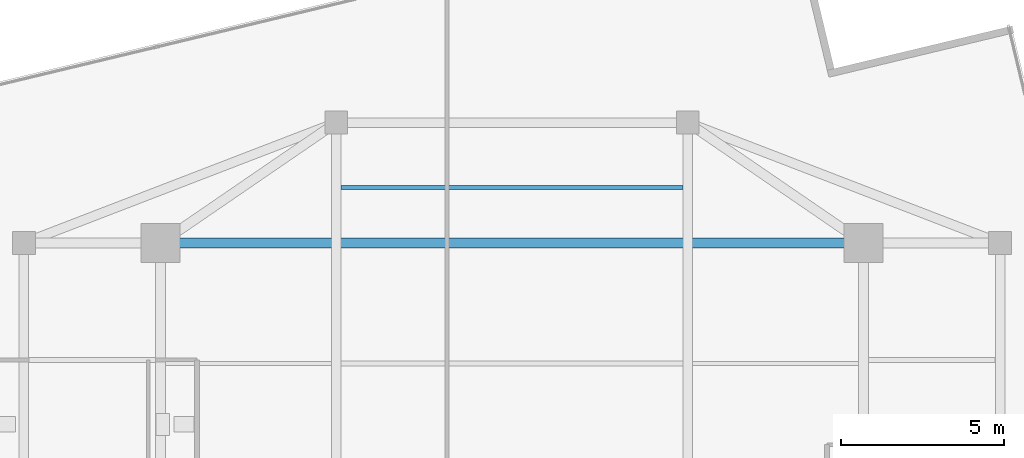
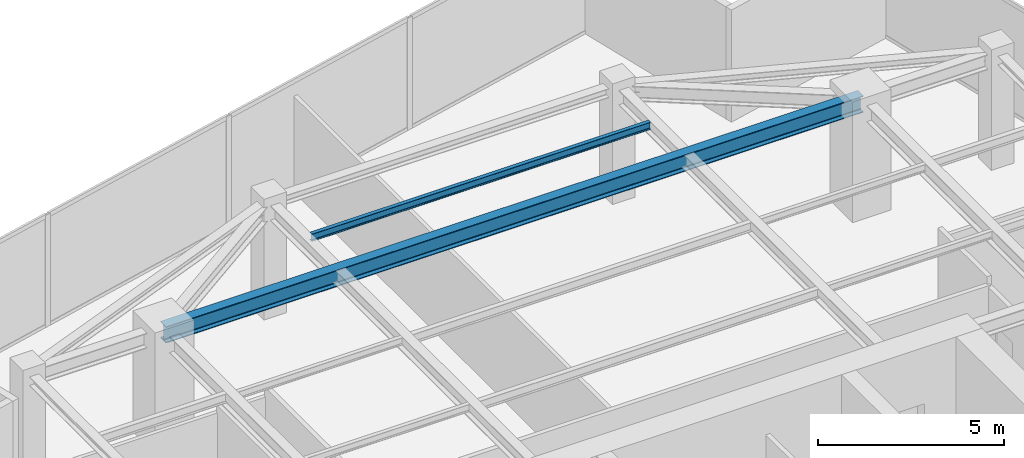
# One storey, part 13 of 22: 2 beams.
"""IFC4 building model written with IfcOpenShell, lengths in metres."""

from ifc_helpers import new_model, si_unit, direction, frame, origin, origin_2d, place, context, subcontext, project, spatial, i_section, extrude, source, transform, mapped, material, material_profile, profile_set, type_object, type_shapes, element, save


model = new_model("IFC4")

# Units and contexts
model_context = context("Model", 3, precision=1e-05, world=origin(), true_north=direction((0.0, 1.0)))
body_context = subcontext(model_context, "Body", "Model", "MODEL_VIEW")
ifc_project = project(units=[si_unit("LENGTHUNIT", "METRE"), si_unit("AREAUNIT", "SQUARE_METRE"), si_unit("VOLUMEUNIT", "CUBIC_METRE"), si_unit("PLANEANGLEUNIT", "RADIAN"), si_unit("MASSUNIT", "GRAM", prefix="KILO")], contexts=[model_context])

# Site, building, storey
site_placement = place(None, origin())
site = spatial("IfcSite", under=ifc_project, at=site_placement, CompositionType="ELEMENT")
building_placement = place(site_placement, origin())
building = spatial("IfcBuilding", under=site, at=building_placement, Name="Krantzveldt Concourse Tower", CompositionType="ELEMENT")
storey_placement = place(building_placement, frame((0.0, 0.0, 355.35009765625)))
storey = spatial("IfcBuildingStorey", under=building, at=storey_placement, Name="L87", CompositionType="ELEMENT", Elevation=355.35009765625)

# Beams
ifc_material = material(Name="Steel S355JR", Category="steel")
ifc_material_profile_1 = material_profile(ifc_material, i_section(OverallWidth=0.300048828125, OverallDepth=0.5400390625, WebThickness=0.012451171875, FlangeThickness=0.02392578125, FilletRadius=0.027099609375, at=origin_2d()), Name="Steel S355JR", Category="steel")
ifc_profile_set_1 = profile_set([ifc_material_profile_1], Name="Steel S355JR - HEA 550")
beam_type_1 = type_object("IfcBeamType", Name="BM-B-HEA550", PredefinedType="BEAM", material=ifc_profile_set_1)
shared_shape_1 = source(origin(), body_context, "Body", "SweptSolid", [
    extrude(i_section(OverallWidth=0.300048828125, OverallDepth=0.5400390625, WebThickness=0.012451171875, FlangeThickness=0.02392578125, FilletRadius=0.027099609375, at=origin_2d()), origin(), (0.0, 0.0, 1.0), 21.60009765625),
])
type_shapes(beam_type_1, [shared_shape_1])
beam_1_placement = place(storey_placement, frame((25.199951171875, 37.5, 3.39990234375), z_axis=(1.0, 0.0, 0.0), x_axis=(0.0, 1.0, 0.0)))
element("IfcBeam", 1, at=beam_1_placement, inside=storey, type_object=beam_type_1, Name="L87 Tower Girder BG-MN", PredefinedType="BEAM", context=body_context, shape_type="MappedRepresentation", body=[
    mapped(shared_shape_1, transform((0.0, 0.0, 0.0), x_axis=(1.0, 0.0, 0.0), y_axis=(0.0, 1.0, 0.0), z_axis=(0.0, 0.0, 1.0), scale=1.0)),
])
ifc_material_profile_2 = material_profile(ifc_material, i_section(OverallWidth=0.1201171875, OverallDepth=0.239990234375, WebThickness=0.006103515625, FlangeThickness=0.009765625, FilletRadius=0.014892578125, at=origin_2d()), Name="Steel S355JR", Category="steel")
ifc_profile_set_2 = profile_set([ifc_material_profile_2], Name="Steel S355JR - IPE 240")
beam_type_2 = type_object("IfcBeamType", Name="BM-LN-IPE240", PredefinedType="LINTEL", material=ifc_profile_set_2)
shared_shape_2 = source(origin(), body_context, "Body", "SweptSolid", [
    extrude(i_section(OverallWidth=0.1201171875, OverallDepth=0.239990234375, WebThickness=0.006103515625, FlangeThickness=0.009765625, FilletRadius=0.014892578125, at=origin_2d()), origin(), (0.0, 0.0, 1.0), 10.5),
])
type_shapes(beam_type_2, [shared_shape_2])
beam_2_placement = place(storey_placement, frame((30.75, 39.199951171875, 3.5498046875), z_axis=(1.0, 0.0, 0.0), x_axis=(0.0, 1.0, 0.0)))
element("IfcBeam", 2, at=beam_2_placement, inside=storey, type_object=beam_type_2, Name="L87 Secondary Floor Joist JN-C3", PredefinedType="LINTEL", context=body_context, shape_type="MappedRepresentation", body=[
    mapped(shared_shape_2, transform((0.0, 0.0, 0.0), x_axis=(1.0, 0.0, 0.0), y_axis=(0.0, 1.0, 0.0), z_axis=(0.0, 0.0, 1.0), scale=1.0)),
])

save(model, "model.ifc")
